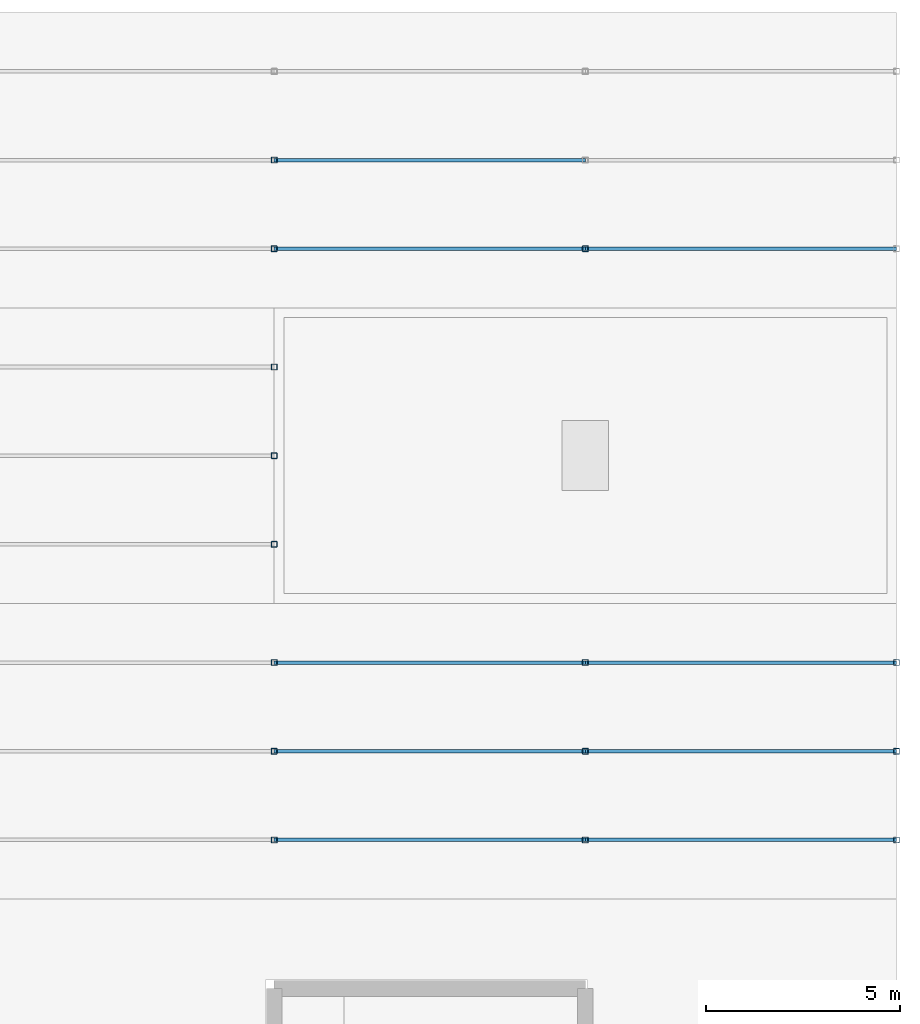
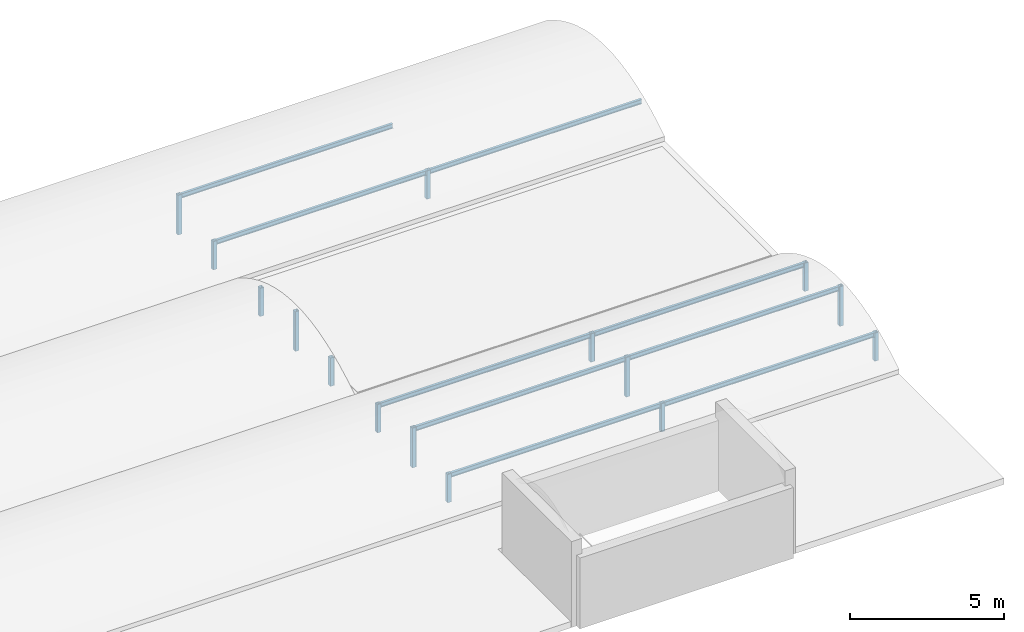
# One storey, part 5 of 8: 24 members.
"""IFC4 building model written with IfcOpenShell, lengths in metres."""

from ifc_helpers import new_model, si_unit, direction, frame, origin, origin_2d, place, context, subcontext, project, spatial, hollow_rectangle, i_section, extrude, material, material_profile, profile_set, type_object, element, save


model = new_model("IFC4")

# Units and contexts
model_context = context("Model", 3, precision=1e-05, world=origin(), true_north=direction((0.0, 1.0)))
body_context = subcontext(model_context, "Body", "Model", "MODEL_VIEW")
ifc_project = project(units=[si_unit("LENGTHUNIT", "METRE"), si_unit("AREAUNIT", "SQUARE_METRE"), si_unit("VOLUMEUNIT", "CUBIC_METRE"), si_unit("PLANEANGLEUNIT", "RADIAN"), si_unit("MASSUNIT", "GRAM", prefix="KILO")], contexts=[model_context])

# Site, building, storey
site_placement = place(None, origin())
site = spatial("IfcSite", under=ifc_project, at=site_placement, CompositionType="ELEMENT")
building_placement = place(site_placement, origin())
building = spatial("IfcBuilding", under=site, at=building_placement, Name="Shalkamar Park Central Library", CompositionType="ELEMENT")
storey_placement = place(building_placement, frame((0.0, 0.0, 77.699951171875)))
storey = spatial("IfcBuildingStorey", under=building, at=storey_placement, Name="ROOF", CompositionType="ELEMENT", Elevation=77.699951171875)

# Members
ifc_material = material(Name="Steel S355", Category="steel")
ifc_material_profile_1 = material_profile(ifc_material, hollow_rectangle(XDim=0.14990234375, YDim=0.14990234375, WallThickness=0.008056640625, InnerFilletRadius=0.008056640625, OuterFilletRadius=0.011962890625, at=origin_2d()), Name="SHS 150x150x8")
ifc_profile_set_1 = profile_set([ifc_material_profile_1], Name="Steel S355")
member_type_1 = type_object("IfcMemberType", Name="Diagonal Brace SHS150", PredefinedType="BRACE", material=ifc_profile_set_1)
member_1_placement = place(storey_placement, frame((197.0, 256.719970703125, -0.35986328125), z_axis=(0.0, 0.0, 1.0), x_axis=(1.0, 0.0, 0.0)))
element("IfcMember", 1, at=member_1_placement, inside=storey, type_object=member_type_1, Name="Vault Arch Post BV-L18-1-11.1", PredefinedType="BRACE", context=body_context, shape_type="SweptSolid", body=[
    extrude(hollow_rectangle(XDim=0.14990234375, YDim=0.14990234375, WallThickness=0.008056640625, InnerFilletRadius=0.008056640625, OuterFilletRadius=0.011962890625, at=origin_2d()), origin(), (0.0, 0.0, 1.0), 1.119873046875),
])
member_2_placement = place(storey_placement, frame((197.0, 259.0, -0.35986328125), z_axis=(0.0, 0.0, 1.0), x_axis=(1.0, 0.0, 0.0)))
element("IfcMember", 2, at=member_2_placement, inside=storey, type_object=member_type_1, Name="Vault Arch Post BV-L18-1-11.2", PredefinedType="BRACE", context=body_context, shape_type="SweptSolid", body=[
    extrude(hollow_rectangle(XDim=0.14990234375, YDim=0.14990234375, WallThickness=0.008056640625, InnerFilletRadius=0.008056640625, OuterFilletRadius=0.011962890625, at=origin_2d()), origin(), (0.0, 0.0, 1.0), 1.56982421875),
])
for number, where, z_axis, x_axis, name in (
    (3, (197.0, 261.280029296875, -0.35986328125), (0.0, 0.0, 1.0), (1.0, 0.0, 0.0), "Vault Arch Post BV-L18-1-11.3"),
    (4, (205.0, 256.719970703125, -0.35986328125), (0.0, 0.0, 1.0), (1.0, 0.0, 0.0), "Vault Arch Post BV-L18-1-12.1"),
):
    element("IfcMember", number, at=place(storey_placement, frame(where, z_axis=z_axis, x_axis=x_axis)), inside=storey, type_object=member_type_1, Name=name, PredefinedType="BRACE", context=body_context, shape_type="SweptSolid", body=[
        extrude(hollow_rectangle(XDim=0.14990234375, YDim=0.14990234375, WallThickness=0.008056640625, InnerFilletRadius=0.008056640625, OuterFilletRadius=0.011962890625, at=origin_2d()), origin(), (0.0, 0.0, 1.0), 1.119873046875),
    ])
member_3_placement = place(storey_placement, frame((205.0, 259.0, -0.35986328125), z_axis=(0.0, 0.0, 1.0), x_axis=(1.0, 0.0, 0.0)))
element("IfcMember", 5, at=member_3_placement, inside=storey, type_object=member_type_1, Name="Vault Arch Post BV-L18-1-12.2", PredefinedType="BRACE", context=body_context, shape_type="SweptSolid", body=[
    extrude(hollow_rectangle(XDim=0.14990234375, YDim=0.14990234375, WallThickness=0.008056640625, InnerFilletRadius=0.008056640625, OuterFilletRadius=0.011962890625, at=origin_2d()), origin(), (0.0, 0.0, 1.0), 1.56982421875),
])
for number, where, z_axis, x_axis, name in (
    (6, (205.0, 261.280029296875, -0.35986328125), (0.0, 0.0, 1.0), (1.0, 0.0, 0.0), "Vault Arch Post BV-L18-1-12.3"),
    (7, (213.0, 256.719970703125, -0.35986328125), (0.0, 0.0, 1.0), (1.0, 0.0, 0.0), "Vault Arch Post BV-L18-1-13.1"),
):
    element("IfcMember", number, at=place(storey_placement, frame(where, z_axis=z_axis, x_axis=x_axis)), inside=storey, type_object=member_type_1, Name=name, PredefinedType="BRACE", context=body_context, shape_type="SweptSolid", body=[
        extrude(hollow_rectangle(XDim=0.14990234375, YDim=0.14990234375, WallThickness=0.008056640625, InnerFilletRadius=0.008056640625, OuterFilletRadius=0.011962890625, at=origin_2d()), origin(), (0.0, 0.0, 1.0), 1.119873046875),
    ])
member_4_placement = place(storey_placement, frame((213.0, 259.0, -0.35986328125), z_axis=(0.0, 0.0, 1.0), x_axis=(1.0, 0.0, 0.0)))
element("IfcMember", 8, at=member_4_placement, inside=storey, type_object=member_type_1, Name="Vault Arch Post BV-L18-1-13.2", PredefinedType="BRACE", context=body_context, shape_type="SweptSolid", body=[
    extrude(hollow_rectangle(XDim=0.14990234375, YDim=0.14990234375, WallThickness=0.008056640625, InnerFilletRadius=0.008056640625, OuterFilletRadius=0.011962890625, at=origin_2d()), origin(), (0.0, 0.0, 1.0), 1.56982421875),
])
for number, where, z_axis, x_axis, name in (
    (9, (213.0, 261.280029296875, -0.35986328125), (0.0, 0.0, 1.0), (1.0, 0.0, 0.0), "Vault Arch Post BV-L18-1-13.3"),
    (10, (197.0, 264.320068359375, -0.35986328125), (0.0, 0.0, 1.0), (1.0, 0.0, 0.0), "Vault Arch Post BV-L18-2-11.1"),
):
    element("IfcMember", number, at=place(storey_placement, frame(where, z_axis=z_axis, x_axis=x_axis)), inside=storey, type_object=member_type_1, Name=name, PredefinedType="BRACE", context=body_context, shape_type="SweptSolid", body=[
        extrude(hollow_rectangle(XDim=0.14990234375, YDim=0.14990234375, WallThickness=0.008056640625, InnerFilletRadius=0.008056640625, OuterFilletRadius=0.011962890625, at=origin_2d()), origin(), (0.0, 0.0, 1.0), 1.119873046875),
    ])
member_5_placement = place(storey_placement, frame((197.0, 266.60009765625, -0.35986328125), z_axis=(0.0, 0.0, 1.0), x_axis=(1.0, 0.0, 0.0)))
element("IfcMember", 11, at=member_5_placement, inside=storey, type_object=member_type_1, Name="Vault Arch Post BV-L18-2-11.2", PredefinedType="BRACE", context=body_context, shape_type="SweptSolid", body=[
    extrude(hollow_rectangle(XDim=0.14990234375, YDim=0.14990234375, WallThickness=0.008056640625, InnerFilletRadius=0.008056640625, OuterFilletRadius=0.011962890625, at=origin_2d()), origin(), (0.0, 0.0, 1.0), 1.56982421875),
])
for number, where, z_axis, x_axis, name in (
    (12, (197.0, 268.8798828125, -0.35986328125), (0.0, 0.0, 1.0), (1.0, 0.0, 0.0), "Vault Arch Post BV-L18-2-11.3"),
    (13, (197.0, 271.919921875, -0.35986328125), (0.0, 0.0, 1.0), (1.0, 0.0, 0.0), "Vault Arch Post BV-L18-3-11.1"),
):
    element("IfcMember", number, at=place(storey_placement, frame(where, z_axis=z_axis, x_axis=x_axis)), inside=storey, type_object=member_type_1, Name=name, PredefinedType="BRACE", context=body_context, shape_type="SweptSolid", body=[
        extrude(hollow_rectangle(XDim=0.14990234375, YDim=0.14990234375, WallThickness=0.008056640625, InnerFilletRadius=0.008056640625, OuterFilletRadius=0.011962890625, at=origin_2d()), origin(), (0.0, 0.0, 1.0), 1.119873046875),
    ])
member_6_placement = place(storey_placement, frame((197.0, 274.199951171875, -0.35986328125), z_axis=(0.0, 0.0, 1.0), x_axis=(1.0, 0.0, 0.0)))
element("IfcMember", 14, at=member_6_placement, inside=storey, type_object=member_type_1, Name="Vault Arch Post BV-L18-3-11.2", PredefinedType="BRACE", context=body_context, shape_type="SweptSolid", body=[
    extrude(hollow_rectangle(XDim=0.14990234375, YDim=0.14990234375, WallThickness=0.008056640625, InnerFilletRadius=0.008056640625, OuterFilletRadius=0.011962890625, at=origin_2d()), origin(), (0.0, 0.0, 1.0), 1.56982421875),
])
member_7_placement = place(storey_placement, frame((205.0, 271.919921875, -0.35986328125), z_axis=(0.0, 0.0, 1.0), x_axis=(1.0, 0.0, 0.0)))
element("IfcMember", 15, at=member_7_placement, inside=storey, type_object=member_type_1, Name="Vault Arch Post BV-L18-3-12.1", PredefinedType="BRACE", context=body_context, shape_type="SweptSolid", body=[
    extrude(hollow_rectangle(XDim=0.14990234375, YDim=0.14990234375, WallThickness=0.008056640625, InnerFilletRadius=0.008056640625, OuterFilletRadius=0.011962890625, at=origin_2d()), origin(), (0.0, 0.0, 1.0), 1.119873046875),
])
ifc_material_profile_2 = material_profile(ifc_material, i_section(OverallWidth=0.091064453125, OverallDepth=0.179931640625, WebThickness=0.00537109375, FlangeThickness=0.008056640625, FilletRadius=0.009033203125, at=origin_2d()), Name="IPE 180")
ifc_profile_set_2 = profile_set([ifc_material_profile_2], Name="Steel S355")
member_type_2 = type_object("IfcMemberType", Name="Roof Purlin IPE180", PredefinedType="PURLIN", material=ifc_profile_set_2)
for number, where, z_axis, x_axis, name in (
    (16, (197.0, 256.719970703125, 0.670166015625), (1.0, 0.0, 0.0), (0.0, 1.0, 0.0), "Barrel Roof Purlin BV-L18-1-1.11"),
    (17, (205.0, 256.719970703125, 0.670166015625), (1.0, 0.0, 0.0), (0.0, 1.0, 0.0), "Barrel Roof Purlin BV-L18-1-1.12"),
    (18, (197.0, 259.0, 1.1201171875), (1.0, 0.0, 0.0), (0.0, 1.0, 0.0), "Barrel Roof Purlin BV-L18-1-2.11"),
    (19, (205.0, 259.0, 1.1201171875), (1.0, 0.0, 0.0), (0.0, 1.0, 0.0), "Barrel Roof Purlin BV-L18-1-2.12"),
    (20, (197.0, 261.280029296875, 0.670166015625), (1.0, 0.0, 0.0), (0.0, 1.0, 0.0), "Barrel Roof Purlin BV-L18-1-3.11"),
    (21, (205.0, 261.280029296875, 0.670166015625), (1.0, 0.0, 0.0), (0.0, 1.0, 0.0), "Barrel Roof Purlin BV-L18-1-3.12"),
    (22, (197.0, 271.919921875, 0.670166015625), (1.0, 0.0, 0.0), (0.0, 1.0, 0.0), "Barrel Roof Purlin BV-L18-3-1.11"),
    (23, (205.0, 271.919921875, 0.670166015625), (1.0, 0.0, 0.0), (0.0, 1.0, 0.0), "Barrel Roof Purlin BV-L18-3-1.12"),
    (24, (197.0, 274.199951171875, 1.1201171875), (1.0, 0.0, 0.0), (0.0, 1.0, 0.0), "Barrel Roof Purlin BV-L18-3-2.11"),
):
    element("IfcMember", number, at=place(storey_placement, frame(where, z_axis=z_axis, x_axis=x_axis)), inside=storey, type_object=member_type_2, Name=name, PredefinedType="PURLIN", context=body_context, shape_type="SweptSolid", body=[
        extrude(i_section(OverallWidth=0.091064453125, OverallDepth=0.179931640625, WebThickness=0.00537109375, FlangeThickness=0.008056640625, FilletRadius=0.009033203125, at=origin_2d()), origin(), (0.0, 0.0, 1.0), 8.0),
    ])

save(model, "model.ifc")
